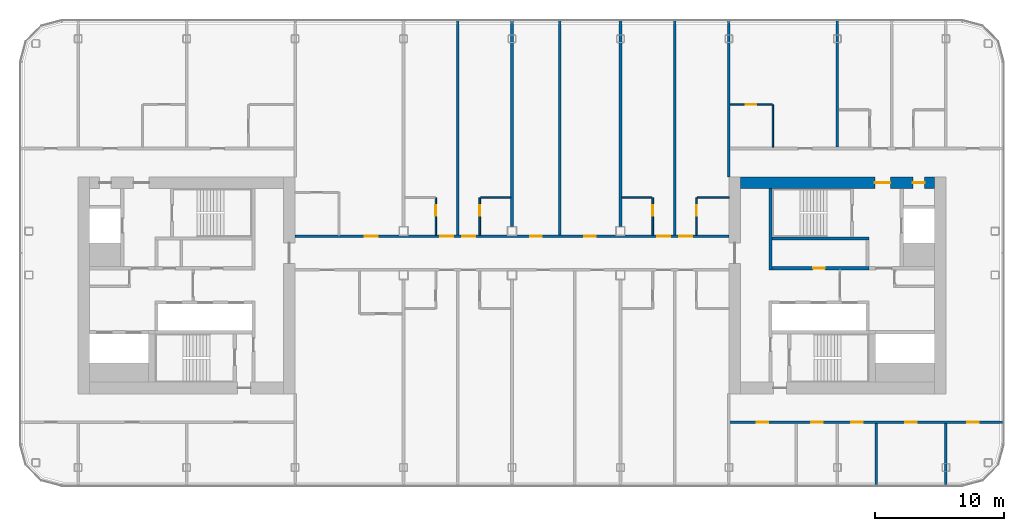
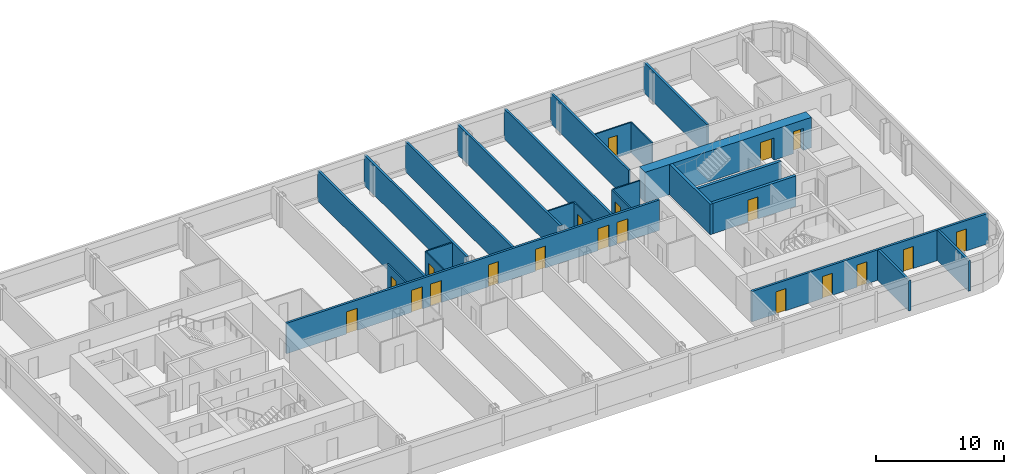
# One storey, part 16 of 26: 24 walls, 20 doors, 20 openings.
"""IFC4 building model written with IfcOpenShell, lengths in metres."""

from ifc_helpers import new_model, si_unit, direction, frame, frame_2d, origin, place, context, subcontext, project, spatial, rectangle, extrude, material, layer, layer_set, type_object, element, fill, save


model = new_model("IFC4")

# Units and contexts
model_context = context("Model", 3, precision=1e-05, world=origin(), true_north=direction((0.0, 1.0)))
body_context = subcontext(model_context, "Body", "Model", "MODEL_VIEW")
ifc_project = project(units=[si_unit("LENGTHUNIT", "METRE"), si_unit("AREAUNIT", "SQUARE_METRE"), si_unit("VOLUMEUNIT", "CUBIC_METRE"), si_unit("PLANEANGLEUNIT", "RADIAN"), si_unit("MASSUNIT", "GRAM", prefix="KILO")], contexts=[model_context])

# Site, building, storey
site_placement = place(None, origin())
site = spatial("IfcSite", under=ifc_project, at=site_placement, CompositionType="ELEMENT")
building_placement = place(site_placement, origin())
building = spatial("IfcBuilding", under=site, at=building_placement, Name="Hakoniwa Tower and Hamabe Station Hall", CompositionType="ELEMENT")
storey_placement = place(building_placement, frame((0.0, 0.0, 225.0)))
storey = spatial("IfcBuildingStorey", under=building, at=storey_placement, Name="L64", CompositionType="ELEMENT", Elevation=225.0)

# Walls
ifc_material_1 = material(Name="Gypsum board partition", Category="gypsum")
ifc_layer_1 = layer(ifc_material_1, 0.125)
ifc_layer_set_1 = layer_set([ifc_layer_1], Name="Bathroom Partition 125")
wall_type_1 = type_object("IfcWallType", Name="Bathroom Partition 125", PredefinedType="PARTITIONING", material=ifc_layer_set_1)
for number, where, z_axis, x_axis, name in (
    (1, (-2.4375, 6.800048828125, 0.0), (0.0, 0.0, 1.0), (1.0, 0.0, 0.0), "GW-L64-011"),
    (2, (8.5, 6.800048828125, 0.0), (0.0, 0.0, 1.0), (1.0, 0.0, 0.0), "GW-L64-012"),
):
    element("IfcWall", number, at=place(storey_placement, frame(where, z_axis=z_axis, x_axis=x_axis)), inside=storey, type_object=wall_type_1, Name=name, PredefinedType="PARTITIONING", context=body_context, shape_type="SweptSolid", body=[
        extrude(rectangle(XDim=2.33740234375, YDim=0.125, at=frame_2d((1.168701171875, 0.0))), origin(), (0.0, 0.0, 1.0), 2.89990234375),
    ])
wall_1_placement = place(storey_placement, frame((14.362548828125, 6.800048828125, 0.0), z_axis=(0.0, 0.0, 1.0), x_axis=(1.0, 0.0, 0.0)))
element("IfcWall", 3, at=wall_1_placement, inside=storey, type_object=wall_type_1, Name="GW-L64-013", PredefinedType="PARTITIONING", context=body_context, shape_type="SweptSolid", body=[
    extrude(rectangle(XDim=2.447509765625, YDim=0.125, at=frame_2d((1.2236328125, 0.0))), origin(), (0.0, 0.0, 1.0), 2.89990234375),
])

# Wall, opening, door
wall_2_placement = place(storey_placement, frame((16.89990234375, 14.0, 0.0), z_axis=(0.0, 0.0, 1.0), x_axis=(1.0, 0.0, 0.0)))
wall_2 = element("IfcWall", 4, at=wall_2_placement, inside=storey, type_object=wall_type_1, Name="GW-L64-021", PredefinedType="PARTITIONING", context=body_context, shape_type="SweptSolid", body=[
    extrude(rectangle(XDim=3.237548828125, YDim=0.125, at=frame_2d((1.61865234375, 0.0))), origin(), (0.0, 0.0, 1.0), 2.89990234375),
])
opening_1_placement = place(wall_2_placement, frame((1.199951171875, 0.0, 0.0)))
opening_1 = element("IfcOpeningElement", 5, at=opening_1_placement, cuts=wall_2, Name="Opening GD-G4C2-33", PredefinedType="OPENING", context=body_context, shape_type="SweptSolid", body=[
    extrude(rectangle(XDim=0.800048828125, YDim=2.10009765625, at=frame_2d((0.39990234375, 1.050048828125))), frame((0.0, 0.072509765625, 0.0), z_axis=(0.0, -1.0, 0.0), x_axis=(1.0, 0.0, 0.0)), (0.0, 0.0, 1.0), 0.14501953125),
])
ifc_material_2 = material(Name="Timber door leaf", Category="wood")
door_type_1 = type_object("IfcDoorType", Name="Bathroom Door 800", OperationType="SINGLE_SWING_LEFT", PredefinedType="DOOR", material=ifc_material_2)
door_1_placement = place(opening_1_placement, origin())
door_1 = element("IfcDoor", 6, at=door_1_placement, inside=storey, type_object=door_type_1, Name="Door GD-G4C2-33", OperationType="SINGLE_SWING_LEFT", OverallHeight=2.10009765625, OverallWidth=0.800048828125, PredefinedType="DOOR", context=body_context, shape_type="SweptSolid", body=[
    extrude(rectangle(XDim=0.800048828125, YDim=2.10009765625, at=frame_2d((0.39990234375, 1.050048828125))), frame((0.0, 0.02490234375, 0.0), z_axis=(0.0, -1.0, 0.0), x_axis=(1.0, 0.0, 0.0)), (0.0, 0.0, 1.0), 0.050048828125),
])
fill(opening_1, door_1)

wall_3_placement = place(storey_placement, frame((-5.89990234375, 3.89990234375, 0.0), z_axis=(0.0, 0.0, 1.0), x_axis=(0.0, 1.0, 0.0)))
wall_3 = element("IfcWall", 7, at=wall_3_placement, inside=storey, type_object=wall_type_1, Name="GW-L64-035", PredefinedType="PARTITIONING", context=body_context, shape_type="SweptSolid", body=[
    extrude(rectangle(XDim=2.900146484375, YDim=0.125, at=frame_2d((1.4501953125, 0.0))), origin(), (0.0, 0.0, 1.0), 2.89990234375),
])
opening_2_placement = place(wall_3_placement, frame((1.5, 0.0, 0.0)))
opening_2 = element("IfcOpeningElement", 8, at=opening_2_placement, cuts=wall_3, Name="Opening GD-G4C2-36", PredefinedType="OPENING", context=body_context, shape_type="SweptSolid", body=[
    extrude(rectangle(XDim=0.800048828125, YDim=2.10009765625, at=frame_2d((0.39990234375, 1.050048828125))), frame((0.0, 0.072509765625, 0.0), z_axis=(0.0, -1.0, 0.0), x_axis=(1.0, 0.0, 0.0)), (0.0, 0.0, 1.0), 0.14501953125),
])
door_2_placement = place(opening_2_placement, origin())
door_2 = element("IfcDoor", 9, at=door_2_placement, inside=storey, type_object=door_type_1, Name="Door GD-G4C2-36", OperationType="SINGLE_SWING_LEFT", OverallHeight=2.10009765625, OverallWidth=0.800048828125, PredefinedType="DOOR", context=body_context, shape_type="SweptSolid", body=[
    extrude(rectangle(XDim=0.800048828125, YDim=2.10009765625, at=frame_2d((0.39990234375, 1.050048828125))), frame((0.0, 0.02490234375, 0.0), z_axis=(0.0, -1.0, 0.0), x_axis=(1.0, 0.0, 0.0)), (0.0, 0.0, 1.0), 0.050048828125),
])
fill(opening_2, door_2)

wall_4_placement = place(storey_placement, frame((-2.5, 3.89990234375, 0.0), z_axis=(0.0, 0.0, 1.0), x_axis=(0.0, 1.0, 0.0)))
wall_4 = element("IfcWall", 10, at=wall_4_placement, inside=storey, type_object=wall_type_1, Name="GW-L64-039", PredefinedType="PARTITIONING", context=body_context, shape_type="SweptSolid", body=[
    extrude(rectangle(XDim=2.900146484375, YDim=0.125, at=frame_2d((1.4501953125, 0.0))), origin(), (0.0, 0.0, 1.0), 2.89990234375),
])
opening_3_placement = place(wall_4_placement, frame((1.5, 0.0, 0.0)))
opening_3 = element("IfcOpeningElement", 11, at=opening_3_placement, cuts=wall_4, Name="Opening GD-G4C2-38", PredefinedType="OPENING", context=body_context, shape_type="SweptSolid", body=[
    extrude(rectangle(XDim=0.800048828125, YDim=2.10009765625, at=frame_2d((0.39990234375, 1.050048828125))), frame((0.0, 0.072509765625, 0.0), z_axis=(0.0, -1.0, 0.0), x_axis=(1.0, 0.0, 0.0)), (0.0, 0.0, 1.0), 0.14501953125),
])
door_3_placement = place(opening_3_placement, origin())
door_3 = element("IfcDoor", 12, at=door_3_placement, inside=storey, type_object=door_type_1, Name="Door GD-G4C2-38", OperationType="SINGLE_SWING_RIGHT", OverallHeight=2.10009765625, OverallWidth=0.800048828125, PredefinedType="DOOR", context=body_context, shape_type="SweptSolid", body=[
    extrude(rectangle(XDim=0.800048828125, YDim=2.10009765625, at=frame_2d((0.39990234375, 1.050048828125))), frame((0.0, 0.02490234375, 0.0), z_axis=(0.0, -1.0, 0.0), x_axis=(1.0, 0.0, 0.0)), (0.0, 0.0, 1.0), 0.050048828125),
])
fill(opening_3, door_3)

wall_5_placement = place(storey_placement, frame((10.89990234375, 3.89990234375, 0.0), z_axis=(0.0, 0.0, 1.0), x_axis=(0.0, 1.0, 0.0)))
wall_5 = element("IfcWall", 13, at=wall_5_placement, inside=storey, type_object=wall_type_1, Name="GW-L64-047", PredefinedType="PARTITIONING", context=body_context, shape_type="SweptSolid", body=[
    extrude(rectangle(XDim=2.900146484375, YDim=0.125, at=frame_2d((1.4501953125, 0.0))), origin(), (0.0, 0.0, 1.0), 2.89990234375),
])
opening_4_placement = place(wall_5_placement, frame((1.5, 0.0, 0.0)))
opening_4 = element("IfcOpeningElement", 14, at=opening_4_placement, cuts=wall_5, Name="Opening GD-G4C2-40", PredefinedType="OPENING", context=body_context, shape_type="SweptSolid", body=[
    extrude(rectangle(XDim=0.800048828125, YDim=2.10009765625, at=frame_2d((0.39990234375, 1.050048828125))), frame((0.0, 0.072509765625, 0.0), z_axis=(0.0, -1.0, 0.0), x_axis=(1.0, 0.0, 0.0)), (0.0, 0.0, 1.0), 0.14501953125),
])
door_4_placement = place(opening_4_placement, origin())
door_4 = element("IfcDoor", 15, at=door_4_placement, inside=storey, type_object=door_type_1, Name="Door GD-G4C2-40", OperationType="SINGLE_SWING_LEFT", OverallHeight=2.10009765625, OverallWidth=0.800048828125, PredefinedType="DOOR", context=body_context, shape_type="SweptSolid", body=[
    extrude(rectangle(XDim=0.800048828125, YDim=2.10009765625, at=frame_2d((0.39990234375, 1.050048828125))), frame((0.0, 0.02490234375, 0.0), z_axis=(0.0, -1.0, 0.0), x_axis=(1.0, 0.0, 0.0)), (0.0, 0.0, 1.0), 0.050048828125),
])
fill(opening_4, door_4)

wall_6_placement = place(storey_placement, frame((14.300048828125, 3.89990234375, 0.0), z_axis=(0.0, 0.0, 1.0), x_axis=(0.0, 1.0, 0.0)))
wall_6 = element("IfcWall", 16, at=wall_6_placement, inside=storey, type_object=wall_type_1, Name="GW-L64-051", PredefinedType="PARTITIONING", context=body_context, shape_type="SweptSolid", body=[
    extrude(rectangle(XDim=2.900146484375, YDim=0.125, at=frame_2d((1.4501953125, 0.0))), origin(), (0.0, 0.0, 1.0), 2.89990234375),
])
opening_5_placement = place(wall_6_placement, frame((1.5, 0.0, 0.0)))
opening_5 = element("IfcOpeningElement", 17, at=opening_5_placement, cuts=wall_6, Name="Opening GD-G4C2-42", PredefinedType="OPENING", context=body_context, shape_type="SweptSolid", body=[
    extrude(rectangle(XDim=0.800048828125, YDim=2.10009765625, at=frame_2d((0.39990234375, 1.050048828125))), frame((0.0, 0.072509765625, 0.0), z_axis=(0.0, -1.0, 0.0), x_axis=(1.0, 0.0, 0.0)), (0.0, 0.0, 1.0), 0.14501953125),
])
door_5_placement = place(opening_5_placement, origin())
door_5 = element("IfcDoor", 18, at=door_5_placement, inside=storey, type_object=door_type_1, Name="Door GD-G4C2-42", OperationType="SINGLE_SWING_RIGHT", OverallHeight=2.10009765625, OverallWidth=0.800048828125, PredefinedType="DOOR", context=body_context, shape_type="SweptSolid", body=[
    extrude(rectangle(XDim=0.800048828125, YDim=2.10009765625, at=frame_2d((0.39990234375, 1.050048828125))), frame((0.0, 0.02490234375, 0.0), z_axis=(0.0, -1.0, 0.0), x_axis=(1.0, 0.0, 0.0)), (0.0, 0.0, 1.0), 0.050048828125),
])
fill(opening_5, door_5)

# Wall
wall_7_placement = place(storey_placement, frame((20.199951171875, 10.699951171875, 0.0), z_axis=(0.0, 0.0, 1.0), x_axis=(0.0, 1.0, 0.0)))
element("IfcWall", 19, at=wall_7_placement, inside=storey, type_object=wall_type_1, Name="GW-L64-054", PredefinedType="PARTITIONING", context=body_context, shape_type="SweptSolid", body=[
    extrude(rectangle(XDim=3.300048828125, YDim=0.125, at=frame_2d((1.64990234375, 0.0))), origin(), (0.0, 0.0, 1.0), 2.89990234375),
])

# Wall, openings, doors
ifc_material_3 = material(Name="Concrete C60", Category="concrete")
ifc_layer_2 = layer(ifc_material_3, 0.89990234375)
ifc_layer_set_2 = layer_set([ifc_layer_2], Name="CORE WALL 900 C60")
wall_type_2 = type_object("IfcWallType", Name="CORE WALL 900 C60", PredefinedType="SHEAR", material=ifc_layer_set_2)
wall_8_placement = place(storey_placement, frame((17.699951171875, 7.949951171875, 0.0), z_axis=(0.0, 0.0, 1.0), x_axis=(1.0, 0.0, 0.0)))
wall_8 = element("IfcWall", 20, at=wall_8_placement, inside=storey, type_object=wall_type_2, Name="Core wall NORTH east", PredefinedType="SHEAR", context=body_context, shape_type="SweptSolid", body=[
    extrude(rectangle(XDim=15.0, YDim=0.89990234375, at=frame_2d((7.5, 0.0))), origin(), (0.0, 0.0, 1.0), 2.89990234375),
])
opening_6_placement = place(wall_8_placement, frame((10.39990234375, 0.0, 0.0)))
opening_6 = element("IfcOpeningElement", 21, at=opening_6_placement, cuts=wall_8, Name="Opening CD-E-FN1-12", PredefinedType="OPENING", context=body_context, shape_type="SweptSolid", body=[
    extrude(rectangle(XDim=1.199951171875, YDim=2.10009765625, at=frame_2d((0.60009765625, 1.050048828125))), frame((0.0, 0.4599609375, 0.0), z_axis=(0.0, -1.0, 0.0), x_axis=(1.0, 0.0, 0.0)), (0.0, 0.0, 1.0), 0.919921875),
])
opening_7_placement = place(wall_8_placement, frame((13.35009765625, 0.0, 0.0)))
opening_7 = element("IfcOpeningElement", 22, at=opening_7_placement, cuts=wall_8, Name="Opening CD-E-FN2-9", PredefinedType="OPENING", context=body_context, shape_type="SweptSolid", body=[
    extrude(rectangle(XDim=0.89990234375, YDim=2.10009765625, at=frame_2d((0.449951171875, 1.050048828125))), frame((0.0, 0.4599609375, 0.0), z_axis=(0.0, -1.0, 0.0), x_axis=(1.0, 0.0, 0.0)), (0.0, 0.0, 1.0), 0.919921875),
])
ifc_material_4 = material(Name="Steel fire door", Category="steel")
door_type_2 = type_object("IfcDoorType", Name="CORE DOOR 1200 FD60", OperationType="DOUBLE_DOOR_SINGLE_SWING", PredefinedType="DOOR", material=ifc_material_4)
door_6_placement = place(opening_6_placement, origin())
door_6 = element("IfcDoor", 23, at=door_6_placement, inside=storey, type_object=door_type_2, Name="Stair vestibule door to the fire-fighting lobby", OperationType="DOUBLE_DOOR_SINGLE_SWING", OverallHeight=2.10009765625, OverallWidth=1.199951171875, PredefinedType="DOOR", context=body_context, shape_type="SweptSolid", body=[
    extrude(rectangle(XDim=1.199951171875, YDim=2.10009765625, at=frame_2d((0.60009765625, 1.050048828125))), frame((0.0, 0.02490234375, 0.0), z_axis=(0.0, -1.0, 0.0), x_axis=(1.0, 0.0, 0.0)), (0.0, 0.0, 1.0), 0.050048828125),
])
fill(opening_6, door_6)
ifc_material_5 = material(Name="Steel fire door", Category="steel")
door_type_3 = type_object("IfcDoorType", Name="CORE DOOR 900 FD30", OperationType="NOTDEFINED", PredefinedType="DOOR", material=ifc_material_5)
door_7_placement = place(opening_7_placement, origin())
door_7 = element("IfcDoor", 24, at=door_7_placement, inside=storey, type_object=door_type_3, Name="Riser access door", OperationType="SINGLE_SWING_RIGHT", OverallHeight=2.10009765625, OverallWidth=0.89990234375, PredefinedType="DOOR", context=body_context, shape_type="SweptSolid", body=[
    extrude(rectangle(XDim=0.89990234375, YDim=2.10009765625, at=frame_2d((0.449951171875, 1.050048828125))), frame((0.0, 0.02490234375, 0.0), z_axis=(0.0, -1.0, 0.0), x_axis=(1.0, 0.0, 0.0)), (0.0, 0.0, 1.0), 0.050048828125),
])
fill(opening_7, door_7)

# Wall
ifc_material_6 = material(Name="Concrete C60", Category="concrete")
ifc_layer_3 = layer(ifc_material_6, 0.25)
ifc_layer_set_3 = layer_set([ifc_layer_3], Name="CORE WEB WALL 250 C60")
wall_type_3 = type_object("IfcWallType", Name="CORE WEB WALL 250 C60", PredefinedType="SHEAR", material=ifc_layer_set_3)
wall_9_placement = place(storey_placement, frame((20.02490234375, 1.199951171875, 0.0), z_axis=(0.0, 0.0, 1.0), x_axis=(0.0, 1.0, 0.0)))
element("IfcWall", 25, at=wall_9_placement, inside=storey, type_object=wall_type_3, Name="Core wall W1N east", PredefinedType="SHEAR", context=body_context, shape_type="SweptSolid", body=[
    extrude(rectangle(XDim=6.300048828125, YDim=0.25, at=frame_2d((3.14990234375, 0.0))), origin(), (0.0, 0.0, 1.0), 2.89990234375),
])

# Wall, opening, door
wall_10_placement = place(storey_placement, frame((20.14990234375, 1.324951171875, 0.0), z_axis=(0.0, 0.0, 1.0), x_axis=(1.0, 0.0, 0.0)))
wall_10 = element("IfcWall", 26, at=wall_10_placement, inside=storey, type_object=wall_type_3, Name="Core wall NF east", PredefinedType="SHEAR", context=body_context, shape_type="SweptSolid", body=[
    extrude(rectangle(XDim=7.5, YDim=0.25, at=frame_2d((3.75, 0.0))), origin(), (0.0, 0.0, 1.0), 2.89990234375),
])
opening_8_placement = place(wall_10_placement, frame((3.175048828125, 0.0, 0.0)))
opening_8 = element("IfcOpeningElement", 27, at=opening_8_placement, cuts=wall_10, Name="Opening CD-E-FRLR0-9", PredefinedType="OPENING", context=body_context, shape_type="SweptSolid", body=[
    extrude(rectangle(XDim=0.89990234375, YDim=2.10009765625, at=frame_2d((0.449951171875, 1.050048828125))), frame((0.0, 0.135009765625, 0.0), z_axis=(0.0, -1.0, 0.0), x_axis=(1.0, 0.0, 0.0)), (0.0, 0.0, 1.0), 0.27001953125),
])
door_8_placement = place(opening_8_placement, origin())
door_8 = element("IfcDoor", 28, at=door_8_placement, inside=storey, type_object=door_type_3, Name="Store room door", OperationType="SINGLE_SWING_RIGHT", OverallHeight=2.10009765625, OverallWidth=0.89990234375, PredefinedType="DOOR", context=body_context, shape_type="SweptSolid", body=[
    extrude(rectangle(XDim=0.89990234375, YDim=2.10009765625, at=frame_2d((0.449951171875, 1.050048828125))), frame((0.0, 0.02490234375, 0.0), z_axis=(0.0, -1.0, 0.0), x_axis=(1.0, 0.0, 0.0)), (0.0, 0.0, 1.0), 0.050048828125),
])
fill(opening_8, door_8)

# Wall
wall_11_placement = place(storey_placement, frame((20.14990234375, 3.625, 0.0), z_axis=(0.0, 0.0, 1.0), x_axis=(1.0, 0.0, 0.0)))
element("IfcWall", 29, at=wall_11_placement, inside=storey, type_object=wall_type_3, Name="Core wall NR east", PredefinedType="SHEAR", context=body_context, shape_type="SweptSolid", body=[
    extrude(rectangle(XDim=7.5, YDim=0.25, at=frame_2d((3.75, 0.0))), origin(), (0.0, 0.0, 1.0), 2.89990234375),
])

# Wall, openings, doors
ifc_material_7 = material(Name="Fire-rated gypsum board partition", Category="gypsum")
ifc_layer_4 = layer(ifc_material_7, 0.199951171875)
ifc_layer_set_4 = layer_set([ifc_layer_4], Name="Corridor Wall 200")
wall_type_4 = type_object("IfcWallType", Name="Corridor Wall 200", PredefinedType="PARTITIONING", material=ifc_layer_set_4)
wall_12_placement = place(storey_placement, frame((16.800048828125, -10.60009765625, 0.0), z_axis=(0.0, 0.0, 1.0), x_axis=(1.0, 0.0, 0.0)))
wall_12 = element("IfcWall", 30, at=wall_12_placement, inside=storey, type_object=wall_type_4, Name="GW-L64-002", PredefinedType="PARTITIONING", context=body_context, shape_type="SweptSolid", body=[
    extrude(rectangle(XDim=21.300048828125, YDim=0.199951171875, at=frame_2d((10.64990234375, 0.0))), origin(), (0.0, 0.0, 1.0), 2.89990234375),
])
opening_9_placement = place(wall_12_placement, frame((2.155029296875, 0.0, 0.0)))
opening_9 = element("IfcOpeningElement", 31, at=opening_9_placement, cuts=wall_12, Name="Opening GD-G4C2-04", PredefinedType="OPENING", context=body_context, shape_type="SweptSolid", body=[
    extrude(rectangle(XDim=0.89990234375, YDim=2.10009765625, at=frame_2d((0.449951171875, 1.050048828125))), frame((0.0, 0.10986328125, 0.0), z_axis=(0.0, -1.0, 0.0), x_axis=(1.0, 0.0, 0.0)), (0.0, 0.0, 1.0), 0.219970703125),
])
opening_10_placement = place(wall_12_placement, frame((6.35498046875, 0.0, 0.0)))
opening_10 = element("IfcOpeningElement", 32, at=opening_10_placement, cuts=wall_12, Name="Opening GD-G4C2-05", PredefinedType="OPENING", context=body_context, shape_type="SweptSolid", body=[
    extrude(rectangle(XDim=0.89990234375, YDim=2.10009765625, at=frame_2d((0.449951171875, 1.050048828125))), frame((0.0, 0.10986328125, 0.0), z_axis=(0.0, -1.0, 0.0), x_axis=(1.0, 0.0, 0.0)), (0.0, 0.0, 1.0), 0.219970703125),
])
opening_11_placement = place(wall_12_placement, frame((9.4599609375, 0.0, 0.0)))
opening_11 = element("IfcOpeningElement", 33, at=opening_11_placement, cuts=wall_12, Name="Opening GD-G4C2-06", PredefinedType="OPENING", context=body_context, shape_type="SweptSolid", body=[
    extrude(rectangle(XDim=0.89990234375, YDim=2.10009765625, at=frame_2d((0.449951171875, 1.050048828125))), frame((0.0, 0.10986328125, 0.0), z_axis=(0.0, -1.0, 0.0), x_axis=(1.0, 0.0, 0.0)), (0.0, 0.0, 1.0), 0.219970703125),
])
opening_12_placement = place(wall_12_placement, frame((13.659912109375, 0.0, 0.0)))
opening_12 = element("IfcOpeningElement", 34, at=opening_12_placement, cuts=wall_12, Name="Opening GD-G4C2-07", PredefinedType="OPENING", context=body_context, shape_type="SweptSolid", body=[
    extrude(rectangle(XDim=0.89990234375, YDim=2.10009765625, at=frame_2d((0.449951171875, 1.050048828125))), frame((0.0, 0.10986328125, 0.0), z_axis=(0.0, -1.0, 0.0), x_axis=(1.0, 0.0, 0.0)), (0.0, 0.0, 1.0), 0.219970703125),
])
opening_13_placement = place(wall_12_placement, frame((18.449951171875, 0.0, 0.0)))
opening_13 = element("IfcOpeningElement", 35, at=opening_13_placement, cuts=wall_12, Name="Opening GD-G4C2-08", PredefinedType="OPENING", context=body_context, shape_type="SweptSolid", body=[
    extrude(rectangle(XDim=0.89990234375, YDim=2.10009765625, at=frame_2d((0.449951171875, 1.050048828125))), frame((0.0, 0.10986328125, 0.0), z_axis=(0.0, -1.0, 0.0), x_axis=(1.0, 0.0, 0.0)), (0.0, 0.0, 1.0), 0.219970703125),
])
ifc_material_8 = material(Name="Timber door leaf", Category="wood")
door_type_4 = type_object("IfcDoorType", Name="Service Door 900", OperationType="SINGLE_SWING_LEFT", PredefinedType="DOOR", material=ifc_material_8)
door_9_placement = place(opening_9_placement, origin())
door_9 = element("IfcDoor", 36, at=door_9_placement, inside=storey, type_object=door_type_4, Name="Door GD-G4C2-04", OperationType="SINGLE_SWING_LEFT", OverallHeight=2.10009765625, OverallWidth=0.89990234375, PredefinedType="DOOR", context=body_context, shape_type="SweptSolid", body=[
    extrude(rectangle(XDim=0.89990234375, YDim=2.10009765625, at=frame_2d((0.449951171875, 1.050048828125))), frame((0.0, 0.02490234375, 0.0), z_axis=(0.0, -1.0, 0.0), x_axis=(1.0, 0.0, 0.0)), (0.0, 0.0, 1.0), 0.050048828125),
])
fill(opening_9, door_9)
door_10_placement = place(opening_10_placement, origin())
door_10 = element("IfcDoor", 37, at=door_10_placement, inside=storey, type_object=door_type_4, Name="Door GD-G4C2-05", OperationType="SINGLE_SWING_RIGHT", OverallHeight=2.10009765625, OverallWidth=0.89990234375, PredefinedType="DOOR", context=body_context, shape_type="SweptSolid", body=[
    extrude(rectangle(XDim=0.89990234375, YDim=2.10009765625, at=frame_2d((0.449951171875, 1.050048828125))), frame((0.0, 0.02490234375, 0.0), z_axis=(0.0, -1.0, 0.0), x_axis=(1.0, 0.0, 0.0)), (0.0, 0.0, 1.0), 0.050048828125),
])
fill(opening_10, door_10)
door_11_placement = place(opening_11_placement, origin())
door_11 = element("IfcDoor", 38, at=door_11_placement, inside=storey, type_object=door_type_4, Name="Door GD-G4C2-06", OperationType="SINGLE_SWING_LEFT", OverallHeight=2.10009765625, OverallWidth=0.89990234375, PredefinedType="DOOR", context=body_context, shape_type="SweptSolid", body=[
    extrude(rectangle(XDim=0.89990234375, YDim=2.10009765625, at=frame_2d((0.449951171875, 1.050048828125))), frame((0.0, 0.02490234375, 0.0), z_axis=(0.0, -1.0, 0.0), x_axis=(1.0, 0.0, 0.0)), (0.0, 0.0, 1.0), 0.050048828125),
])
fill(opening_11, door_11)
door_12_placement = place(opening_12_placement, origin())
door_12 = element("IfcDoor", 39, at=door_12_placement, inside=storey, type_object=door_type_4, Name="Door GD-G4C2-07", OperationType="SINGLE_SWING_RIGHT", OverallHeight=2.10009765625, OverallWidth=0.89990234375, PredefinedType="DOOR", context=body_context, shape_type="SweptSolid", body=[
    extrude(rectangle(XDim=0.89990234375, YDim=2.10009765625, at=frame_2d((0.449951171875, 1.050048828125))), frame((0.0, 0.02490234375, 0.0), z_axis=(0.0, -1.0, 0.0), x_axis=(1.0, 0.0, 0.0)), (0.0, 0.0, 1.0), 0.050048828125),
])
fill(opening_12, door_12)
door_13_placement = place(opening_13_placement, origin())
door_13 = element("IfcDoor", 40, at=door_13_placement, inside=storey, type_object=door_type_4, Name="Door GD-G4C2-08", OperationType="SINGLE_SWING_LEFT", OverallHeight=2.10009765625, OverallWidth=0.89990234375, PredefinedType="DOOR", context=body_context, shape_type="SweptSolid", body=[
    extrude(rectangle(XDim=0.89990234375, YDim=2.10009765625, at=frame_2d((0.449951171875, 1.050048828125))), frame((0.0, 0.02490234375, 0.0), z_axis=(0.0, -1.0, 0.0), x_axis=(1.0, 0.0, 0.0)), (0.0, 0.0, 1.0), 0.050048828125),
])
fill(opening_13, door_13)

wall_13_placement = place(storey_placement, frame((-16.800048828125, 3.800048828125, 0.0), z_axis=(0.0, 0.0, 1.0), x_axis=(1.0, 0.0, 0.0)))
wall_13 = element("IfcWall", 41, at=wall_13_placement, inside=storey, type_object=wall_type_4, Name="GW-L64-009", PredefinedType="PARTITIONING", context=body_context, shape_type="SweptSolid", body=[
    extrude(rectangle(XDim=33.60009765625, YDim=0.199951171875, at=frame_2d((16.800048828125, 0.0))), origin(), (0.0, 0.0, 1.0), 2.89990234375),
])
opening_14_placement = place(wall_13_placement, frame((5.39990234375, 0.0, 0.0)))
opening_14 = element("IfcOpeningElement", 42, at=opening_14_placement, cuts=wall_13, Name="Opening GD-G4C2-17", PredefinedType="OPENING", context=body_context, shape_type="SweptSolid", body=[
    extrude(rectangle(XDim=1.0, YDim=2.10009765625, at=frame_2d((0.5, 1.050048828125))), frame((0.0, 0.10986328125, 0.0), z_axis=(0.0, -1.0, 0.0), x_axis=(1.0, 0.0, 0.0)), (0.0, 0.0, 1.0), 0.219970703125),
])
opening_15_placement = place(wall_13_placement, frame((11.25, 0.0, 0.0)))
opening_15 = element("IfcOpeningElement", 43, at=opening_15_placement, cuts=wall_13, Name="Opening GD-G4C2-18", PredefinedType="OPENING", context=body_context, shape_type="SweptSolid", body=[
    extrude(rectangle(XDim=1.0, YDim=2.10009765625, at=frame_2d((0.5, 1.050048828125))), frame((0.0, 0.10986328125, 0.0), z_axis=(0.0, -1.0, 0.0), x_axis=(1.0, 0.0, 0.0)), (0.0, 0.0, 1.0), 0.219970703125),
])
opening_16_placement = place(wall_13_placement, frame((12.949951171875, 0.0, 0.0)))
opening_16 = element("IfcOpeningElement", 44, at=opening_16_placement, cuts=wall_13, Name="Opening GD-G4C2-19", PredefinedType="OPENING", context=body_context, shape_type="SweptSolid", body=[
    extrude(rectangle(XDim=1.0, YDim=2.10009765625, at=frame_2d((0.5, 1.050048828125))), frame((0.0, 0.10986328125, 0.0), z_axis=(0.0, -1.0, 0.0), x_axis=(1.0, 0.0, 0.0)), (0.0, 0.0, 1.0), 0.219970703125),
])
opening_17_placement = place(wall_13_placement, frame((18.199951171875, 0.0, 0.0)))
opening_17 = element("IfcOpeningElement", 45, at=opening_17_placement, cuts=wall_13, Name="Opening GD-G4C2-20", PredefinedType="OPENING", context=body_context, shape_type="SweptSolid", body=[
    extrude(rectangle(XDim=0.89990234375, YDim=2.10009765625, at=frame_2d((0.449951171875, 1.050048828125))), frame((0.0, 0.10986328125, 0.0), z_axis=(0.0, -1.0, 0.0), x_axis=(1.0, 0.0, 0.0)), (0.0, 0.0, 1.0), 0.219970703125),
])
opening_18_placement = place(wall_13_placement, frame((22.39990234375, 0.0, 0.0)))
opening_18 = element("IfcOpeningElement", 46, at=opening_18_placement, cuts=wall_13, Name="Opening GD-G4C2-21", PredefinedType="OPENING", context=body_context, shape_type="SweptSolid", body=[
    extrude(rectangle(XDim=0.89990234375, YDim=2.10009765625, at=frame_2d((0.449951171875, 1.050048828125))), frame((0.0, 0.10986328125, 0.0), z_axis=(0.0, -1.0, 0.0), x_axis=(1.0, 0.0, 0.0)), (0.0, 0.0, 1.0), 0.219970703125),
])
opening_19_placement = place(wall_13_placement, frame((28.050048828125, 0.0, 0.0)))
opening_19 = element("IfcOpeningElement", 47, at=opening_19_placement, cuts=wall_13, Name="Opening GD-G4C2-22", PredefinedType="OPENING", context=body_context, shape_type="SweptSolid", body=[
    extrude(rectangle(XDim=1.0, YDim=2.10009765625, at=frame_2d((0.5, 1.050048828125))), frame((0.0, 0.10986328125, 0.0), z_axis=(0.0, -1.0, 0.0), x_axis=(1.0, 0.0, 0.0)), (0.0, 0.0, 1.0), 0.219970703125),
])
opening_20_placement = place(wall_13_placement, frame((29.75, 0.0, 0.0)))
opening_20 = element("IfcOpeningElement", 48, at=opening_20_placement, cuts=wall_13, Name="Opening GD-G4C2-23", PredefinedType="OPENING", context=body_context, shape_type="SweptSolid", body=[
    extrude(rectangle(XDim=1.0, YDim=2.10009765625, at=frame_2d((0.5, 1.050048828125))), frame((0.0, 0.10986328125, 0.0), z_axis=(0.0, -1.0, 0.0), x_axis=(1.0, 0.0, 0.0)), (0.0, 0.0, 1.0), 0.219970703125),
])
ifc_material_9 = material(Name="Timber door leaf", Category="wood")
door_type_5 = type_object("IfcDoorType", Name="Guest Entrance Door 1000", OperationType="SINGLE_SWING_LEFT", PredefinedType="DOOR", material=ifc_material_9)
door_14_placement = place(opening_14_placement, origin())
door_14 = element("IfcDoor", 49, at=door_14_placement, inside=storey, type_object=door_type_5, Name="Door GD-G4C2-17", OperationType="SINGLE_SWING_RIGHT", OverallHeight=2.10009765625, OverallWidth=1.0, PredefinedType="DOOR", context=body_context, shape_type="SweptSolid", body=[
    extrude(rectangle(XDim=1.0, YDim=2.10009765625, at=frame_2d((0.5, 1.050048828125))), frame((0.0, 0.02490234375, 0.0), z_axis=(0.0, -1.0, 0.0), x_axis=(1.0, 0.0, 0.0)), (0.0, 0.0, 1.0), 0.050048828125),
])
fill(opening_14, door_14)
door_15_placement = place(opening_15_placement, origin())
door_15 = element("IfcDoor", 50, at=door_15_placement, inside=storey, type_object=door_type_5, Name="Door GD-G4C2-18", OperationType="SINGLE_SWING_LEFT", OverallHeight=2.10009765625, OverallWidth=1.0, PredefinedType="DOOR", context=body_context, shape_type="SweptSolid", body=[
    extrude(rectangle(XDim=1.0, YDim=2.10009765625, at=frame_2d((0.5, 1.050048828125))), frame((0.0, 0.02490234375, 0.0), z_axis=(0.0, -1.0, 0.0), x_axis=(1.0, 0.0, 0.0)), (0.0, 0.0, 1.0), 0.050048828125),
])
fill(opening_15, door_15)
door_16_placement = place(opening_16_placement, origin())
door_16 = element("IfcDoor", 51, at=door_16_placement, inside=storey, type_object=door_type_5, Name="Door GD-G4C2-19", OperationType="SINGLE_SWING_RIGHT", OverallHeight=2.10009765625, OverallWidth=1.0, PredefinedType="DOOR", context=body_context, shape_type="SweptSolid", body=[
    extrude(rectangle(XDim=1.0, YDim=2.10009765625, at=frame_2d((0.5, 1.050048828125))), frame((0.0, 0.02490234375, 0.0), z_axis=(0.0, -1.0, 0.0), x_axis=(1.0, 0.0, 0.0)), (0.0, 0.0, 1.0), 0.050048828125),
])
fill(opening_16, door_16)
door_17_placement = place(opening_19_placement, origin())
door_17 = element("IfcDoor", 52, at=door_17_placement, inside=storey, type_object=door_type_5, Name="Door GD-G4C2-22", OperationType="SINGLE_SWING_RIGHT", OverallHeight=2.10009765625, OverallWidth=1.0, PredefinedType="DOOR", context=body_context, shape_type="SweptSolid", body=[
    extrude(rectangle(XDim=1.0, YDim=2.10009765625, at=frame_2d((0.5, 1.050048828125))), frame((0.0, 0.02490234375, 0.0), z_axis=(0.0, -1.0, 0.0), x_axis=(1.0, 0.0, 0.0)), (0.0, 0.0, 1.0), 0.050048828125),
])
fill(opening_19, door_17)
door_18_placement = place(opening_20_placement, origin())
door_18 = element("IfcDoor", 53, at=door_18_placement, inside=storey, type_object=door_type_5, Name="Door GD-G4C2-23", OperationType="SINGLE_SWING_LEFT", OverallHeight=2.10009765625, OverallWidth=1.0, PredefinedType="DOOR", context=body_context, shape_type="SweptSolid", body=[
    extrude(rectangle(XDim=1.0, YDim=2.10009765625, at=frame_2d((0.5, 1.050048828125))), frame((0.0, 0.02490234375, 0.0), z_axis=(0.0, -1.0, 0.0), x_axis=(1.0, 0.0, 0.0)), (0.0, 0.0, 1.0), 0.050048828125),
])
fill(opening_20, door_18)
door_19_placement = place(opening_17_placement, origin())
door_19 = element("IfcDoor", 54, at=door_19_placement, inside=storey, type_object=door_type_4, Name="Door GD-G4C2-20", OperationType="SINGLE_SWING_LEFT", OverallHeight=2.10009765625, OverallWidth=0.89990234375, PredefinedType="DOOR", context=body_context, shape_type="SweptSolid", body=[
    extrude(rectangle(XDim=0.89990234375, YDim=2.10009765625, at=frame_2d((0.449951171875, 1.050048828125))), frame((0.0, 0.02490234375, 0.0), z_axis=(0.0, -1.0, 0.0), x_axis=(1.0, 0.0, 0.0)), (0.0, 0.0, 1.0), 0.050048828125),
])
fill(opening_17, door_19)
door_20_placement = place(opening_18_placement, origin())
door_20 = element("IfcDoor", 55, at=door_20_placement, inside=storey, type_object=door_type_4, Name="Door GD-G4C2-21", OperationType="SINGLE_SWING_LEFT", OverallHeight=2.10009765625, OverallWidth=0.89990234375, PredefinedType="DOOR", context=body_context, shape_type="SweptSolid", body=[
    extrude(rectangle(XDim=0.89990234375, YDim=2.10009765625, at=frame_2d((0.449951171875, 1.050048828125))), frame((0.0, 0.02490234375, 0.0), z_axis=(0.0, -1.0, 0.0), x_axis=(1.0, 0.0, 0.0)), (0.0, 0.0, 1.0), 0.050048828125),
])
fill(opening_18, door_20)

# Walls
ifc_material_10 = material(Name="Fire-rated gypsum board partition", Category="gypsum")
ifc_layer_5 = layer(ifc_material_10, 0.199951171875)
ifc_layer_set_5 = layer_set([ifc_layer_5], Name="Party Wall 200")
wall_type_5 = type_object("IfcWallType", Name="Party Wall 200", PredefinedType="PARTITIONING", material=ifc_layer_set_5)
wall_14_placement = place(storey_placement, frame((-4.199951171875, 3.89990234375, 0.0), z_axis=(0.0, 0.0, 1.0), x_axis=(0.0, 1.0, 0.0)))
element("IfcWall", 56, at=wall_14_placement, inside=storey, type_object=wall_type_5, Name="GW-L64-037", PredefinedType="PARTITIONING", context=body_context, shape_type="SweptSolid", body=[
    extrude(rectangle(XDim=16.650146484375, YDim=0.199951171875, at=frame_2d((8.3251953125, 0.0))), origin(), (0.0, 0.0, 1.0), 2.89990234375),
])
wall_15_placement = place(storey_placement, frame((0.0, 4.5400390625, 0.0), z_axis=(0.0, 0.0, 1.0), x_axis=(0.0, 1.0, 0.0)))
element("IfcWall", 57, at=wall_15_placement, inside=storey, type_object=wall_type_5, Name="GW-L64-041", PredefinedType="PARTITIONING", context=body_context, shape_type="SweptSolid", body=[
    extrude(rectangle(XDim=16.010009765625, YDim=0.199951171875, at=frame_2d((8.0048828125, 0.0))), origin(), (0.0, 0.0, 1.0), 2.89990234375),
])
wall_16_placement = place(storey_placement, frame((3.699951171875, 3.89990234375, 0.0), z_axis=(0.0, 0.0, 1.0), x_axis=(0.0, 1.0, 0.0)))
element("IfcWall", 58, at=wall_16_placement, inside=storey, type_object=wall_type_5, Name="GW-L64-042", PredefinedType="PARTITIONING", context=body_context, shape_type="SweptSolid", body=[
    extrude(rectangle(XDim=16.650146484375, YDim=0.199951171875, at=frame_2d((8.3251953125, 0.0))), origin(), (0.0, 0.0, 1.0), 2.89990234375),
])
wall_17_placement = place(storey_placement, frame((8.39990234375, 4.5400390625, 0.0), z_axis=(0.0, 0.0, 1.0), x_axis=(0.0, 1.0, 0.0)))
element("IfcWall", 59, at=wall_17_placement, inside=storey, type_object=wall_type_5, Name="GW-L64-045", PredefinedType="PARTITIONING", context=body_context, shape_type="SweptSolid", body=[
    extrude(rectangle(XDim=16.010009765625, YDim=0.199951171875, at=frame_2d((8.0048828125, 0.0))), origin(), (0.0, 0.0, 1.0), 2.89990234375),
])
wall_18_placement = place(storey_placement, frame((12.60009765625, 3.89990234375, 0.0), z_axis=(0.0, 0.0, 1.0), x_axis=(0.0, 1.0, 0.0)))
element("IfcWall", 60, at=wall_18_placement, inside=storey, type_object=wall_type_5, Name="GW-L64-049", PredefinedType="PARTITIONING", context=body_context, shape_type="SweptSolid", body=[
    extrude(rectangle(XDim=16.650146484375, YDim=0.199951171875, at=frame_2d((8.3251953125, 0.0))), origin(), (0.0, 0.0, 1.0), 2.89990234375),
])
wall_19_placement = place(storey_placement, frame((16.800048828125, 8.389892578125, 0.0), z_axis=(0.0, 0.0, 1.0), x_axis=(0.0, 1.0, 0.0)))
element("IfcWall", 61, at=wall_19_placement, inside=storey, type_object=wall_type_5, Name="GW-L64-053", PredefinedType="PARTITIONING", context=body_context, shape_type="SweptSolid", body=[
    extrude(rectangle(XDim=12.16015625, YDim=0.199951171875, at=frame_2d((6.080078125, 0.0))), origin(), (0.0, 0.0, 1.0), 2.89990234375),
])
wall_20_placement = place(storey_placement, frame((25.199951171875, 10.699951171875, 0.0), z_axis=(0.0, 0.0, 1.0), x_axis=(0.0, 1.0, 0.0)))
element("IfcWall", 62, at=wall_20_placement, inside=storey, type_object=wall_type_5, Name="GW-L64-057", PredefinedType="PARTITIONING", context=body_context, shape_type="SweptSolid", body=[
    extrude(rectangle(XDim=9.85009765625, YDim=0.199951171875, at=frame_2d((4.925048828125, 0.0))), origin(), (0.0, 0.0, 1.0), 2.89990234375),
])
for number, where, z_axis, x_axis, name in (
    (63, (28.219970703125, -15.550048828125, 0.0), (0.0, 0.0, 1.0), (0.0, 1.0, 0.0), "GW-L64-059"),
    (64, (33.60009765625, -15.550048828125, 0.0), (0.0, 0.0, 1.0), (0.0, 1.0, 0.0), "GW-L64-062"),
):
    element("IfcWall", number, at=place(storey_placement, frame(where, z_axis=z_axis, x_axis=x_axis)), inside=storey, type_object=wall_type_5, Name=name, PredefinedType="PARTITIONING", context=body_context, shape_type="SweptSolid", body=[
        extrude(rectangle(XDim=4.85009765625, YDim=0.199951171875, at=frame_2d((2.425048828125, 0.0))), origin(), (0.0, 0.0, 1.0), 2.89990234375),
    ])

save(model, "model.ifc")
